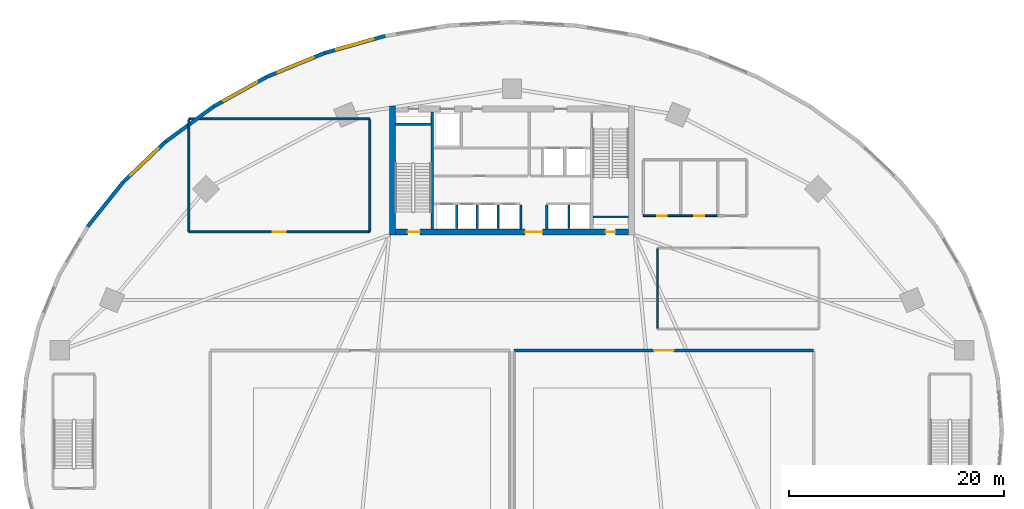
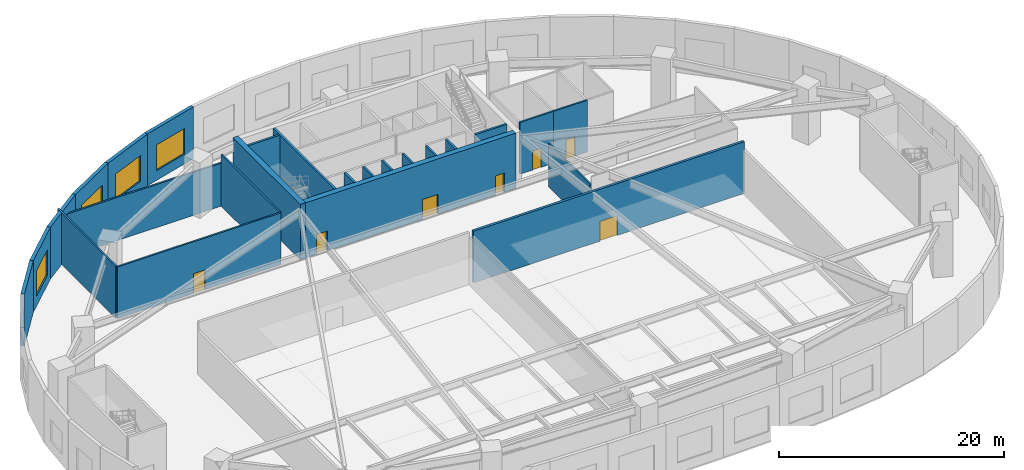
# One storey, part 3 of 10: 25 walls, 7 doors, 4 windows, 11 openings.
"""IFC4 building model written with IfcOpenShell, lengths in metres."""

from ifc_helpers import new_model, si_unit, direction, frame, frame_2d, origin, place, context, subcontext, project, spatial, rectangle, extrude, source, transform, mapped, material, layer, layer_set, type_object, type_shapes, element, fill, save


model = new_model("IFC4")

# Units and contexts
model_context = context("Model", 3, precision=1e-05, world=origin(), true_north=direction((0.0, 1.0)))
body_context = subcontext(model_context, "Body", "Model", "MODEL_VIEW")
ifc_project = project(units=[si_unit("LENGTHUNIT", "METRE"), si_unit("AREAUNIT", "SQUARE_METRE"), si_unit("VOLUMEUNIT", "CUBIC_METRE"), si_unit("PLANEANGLEUNIT", "RADIAN"), si_unit("MASSUNIT", "GRAM", prefix="KILO")], contexts=[model_context])

# Site, building, storey
site_placement = place(None, origin())
site = spatial("IfcSite", under=ifc_project, at=site_placement, CompositionType="ELEMENT")
building_placement = place(site_placement, origin())
building = spatial("IfcBuilding", under=site, at=building_placement, Name="Breltana Convention Tower", CompositionType="ELEMENT")
storey_placement = place(building_placement, frame((0.0, 0.0, 18.0)))
storey = spatial("IfcBuildingStorey", under=building, at=storey_placement, Name="L03", CompositionType="ELEMENT", Elevation=18.0)

# Wall
ifc_material_1 = material(Name="Concrete C60/75", Category="concrete")
ifc_layer_1 = layer(ifc_material_1, 0.550048828125, Name="Concrete C60/75")
ifc_layer_set_1 = layer_set([ifc_layer_1], Name="Concrete C60/75")
wall_type_1 = type_object("IfcWallType", Name="SW-CORE-550", PredefinedType="SHEAR", material=ifc_layer_set_1)
shared_shape_1 = source(origin(), body_context, "Body", "SweptSolid", [
    extrude(rectangle(XDim=12.0, YDim=0.550048828125, at=frame_2d((6.0, 0.0))), origin(), (0.0, 0.0, 1.0), 6.0),
])
wall_1_placement = place(storey_placement, frame((36.925048828125, 60.199951171875, 0.0), z_axis=(0.0, 0.0, 1.0), x_axis=(0.0, 1.0, 0.0)))
element("IfcWall", 1, at=wall_1_placement, inside=storey, type_object=wall_type_1, Name="L03 West Core Shear Wall", PredefinedType="SHEAR", context=body_context, shape_type="MappedRepresentation", body=[
    mapped(shared_shape_1, transform((0.0, 0.0, 0.0), scale=1.0)),
])

# Wall, openings, doors
shared_shape_2 = source(origin(), body_context, "Body", "SweptSolid", [
    extrude(rectangle(XDim=21.60009765625, YDim=0.550048828125, at=frame_2d((10.800048828125, 0.0))), origin(), (0.0, 0.0, 1.0), 6.0),
])
wall_2_placement = place(storey_placement, frame((37.199951171875, 60.47509765625, 0.0), z_axis=(0.0, 0.0, 1.0), x_axis=(1.0, 0.0, 0.0)))
wall_2 = element("IfcWall", 2, at=wall_2_placement, inside=storey, type_object=wall_type_1, Name="L03 South Core Shear Wall", PredefinedType="SHEAR", context=body_context, shape_type="MappedRepresentation", body=[
    mapped(shared_shape_2, transform((0.0, 0.0, 0.0), scale=1.0)),
])
opening_1_placement = place(wall_2_placement, frame((1.10009765625, 0.0, 0.0)))
opening_1 = element("IfcOpeningElement", 3, at=opening_1_placement, cuts=wall_2, Name="Opening D-11", PredefinedType="OPENING", context=body_context, shape_type="SweptSolid", body=[
    extrude(rectangle(XDim=1.14990234375, YDim=2.14990234375, at=frame_2d((0.574951171875, 1.074951171875))), frame((0.0, 0.28515625, 0.0), z_axis=(0.0, -1.0, 0.0), x_axis=(1.0, 0.0, 0.0)), (0.0, 0.0, 1.0), 0.570068359375),
])
opening_2_placement = place(wall_2_placement, frame((19.5, 0.0, 0.0)))
opening_2 = element("IfcOpeningElement", 4, at=opening_2_placement, cuts=wall_2, Name="Opening D-18", PredefinedType="OPENING", context=body_context, shape_type="SweptSolid", body=[
    extrude(rectangle(XDim=0.89990234375, YDim=2.10009765625, at=frame_2d((0.449951171875, 1.050048828125))), frame((0.0, 0.28515625, 0.0), z_axis=(0.0, -1.0, 0.0), x_axis=(1.0, 0.0, 0.0)), (0.0, 0.0, 1.0), 0.570068359375),
])
opening_3_placement = place(wall_2_placement, frame((12.02001953125, 0.0, 0.0)))
opening_3 = element("IfcOpeningElement", 5, at=opening_3_placement, cuts=wall_2, Name="Opening D-02", PredefinedType="OPENING", context=body_context, shape_type="SweptSolid", body=[
    extrude(rectangle(XDim=1.60009765625, YDim=2.14990234375, at=frame_2d((0.800048828125, 1.074951171875))), frame((0.0, 0.28515625, 0.0), z_axis=(0.0, -1.0, 0.0), x_axis=(1.0, 0.0, 0.0)), (0.0, 0.0, 1.0), 0.570068359375),
])
ifc_material_2 = material(Name="Steel Stair Exit Door", Category="steel")
door_type_1 = type_object("IfcDoorType", Name="DR-FD120-1150", OperationType="NOTDEFINED", PredefinedType="DOOR", material=ifc_material_2)
shared_shape_3 = source(origin(), body_context, "Body", "SweptSolid", [
    extrude(rectangle(XDim=1.14990234375, YDim=2.14990234375, at=frame_2d((0.574951171875, 1.074951171875))), frame((0.0, 0.02490234375, 0.0), z_axis=(0.0, -1.0, 0.0), x_axis=(1.0, 0.0, 0.0)), (0.0, 0.0, 1.0), 0.050048828125),
])
type_shapes(door_type_1, [shared_shape_3])
door_1_placement = place(opening_1_placement, origin())
door_1 = element("IfcDoor", 6, at=door_1_placement, inside=storey, type_object=door_type_1, Name="L03 interior door D-L03-ST1", OperationType="SINGLE_SWING_LEFT", OverallHeight=2.14990234375, OverallWidth=1.14990234375, PredefinedType="DOOR", context=body_context, shape_type="MappedRepresentation", body=[
    mapped(shared_shape_3, transform((0.0, 0.0, 0.0), scale=1.0)),
])
fill(opening_1, door_1)
ifc_material_3 = material(Name="Steel Riser Fire Door", Category="steel")
door_type_2 = type_object("IfcDoorType", Name="DR-FD60-900", OperationType="NOTDEFINED", PredefinedType="DOOR", material=ifc_material_3)
shared_shape_4 = source(origin(), body_context, "Body", "SweptSolid", [
    extrude(rectangle(XDim=0.89990234375, YDim=2.10009765625, at=frame_2d((0.449951171875, 1.050048828125))), frame((0.0, 0.02490234375, 0.0), z_axis=(0.0, -1.0, 0.0), x_axis=(1.0, 0.0, 0.0)), (0.0, 0.0, 1.0), 0.050048828125),
])
type_shapes(door_type_2, [shared_shape_4])
door_2_placement = place(opening_2_placement, origin())
door_2 = element("IfcDoor", 7, at=door_2_placement, inside=storey, type_object=door_type_2, Name="L03 Core Riser Access Door D-L03-RS2", OperationType="SINGLE_SWING_RIGHT", OverallHeight=2.10009765625, OverallWidth=0.89990234375, PredefinedType="DOOR", context=body_context, shape_type="MappedRepresentation", body=[
    mapped(shared_shape_4, transform((0.0, 0.0, 0.0), scale=1.0)),
])
fill(opening_2, door_2)
ifc_material_4 = material(Name="Steel Glazed Smoke-Control Door", Category="steel")
door_type_3 = type_object("IfcDoorType", Name="DR-DBL-FD90-1600", OperationType="DOUBLE_DOOR_SINGLE_SWING", PredefinedType="DOOR", material=ifc_material_4)
shared_shape_5 = source(origin(), body_context, "Body", "SweptSolid", [
    extrude(rectangle(XDim=1.60009765625, YDim=2.14990234375, at=frame_2d((0.800048828125, 1.074951171875))), frame((0.0, 0.02490234375, 0.0), z_axis=(0.0, -1.0, 0.0), x_axis=(1.0, 0.0, 0.0)), (0.0, 0.0, 1.0), 0.050048828125),
])
type_shapes(door_type_3, [shared_shape_5])
door_3_placement = place(opening_3_placement, origin())
door_3 = element("IfcDoor", 8, at=door_3_placement, inside=storey, type_object=door_type_3, Name="L03 interior door D-L03-LLB-S", OperationType="DOUBLE_DOOR_SINGLE_SWING", OverallHeight=2.14990234375, OverallWidth=1.60009765625, PredefinedType="DOOR", context=body_context, shape_type="MappedRepresentation", body=[
    mapped(shared_shape_5, transform((0.0, 0.0, 0.0), scale=1.0)),
])
fill(opening_3, door_3)

# Walls
ifc_material_5 = material(Name="Concrete C50/60", Category="concrete")
ifc_layer_2 = layer(ifc_material_5, 0.39990234375, Name="Concrete C50/60")
ifc_layer_set_2 = layer_set([ifc_layer_2], Name="Concrete C50/60")
wall_type_2 = type_object("IfcWallType", Name="SW-CORE-400", PredefinedType="SHEAR", material=ifc_layer_set_2)
shared_shape_6 = source(origin(), body_context, "Body", "SweptSolid", [
    extrude(rectangle(XDim=3.27001953125, YDim=0.219970703125, at=frame_2d((1.635009765625, 0.0))), origin(), (0.0, 0.0, 1.0), 6.0),
])
for number, where, z_axis, x_axis, name in (
    (9, (37.199951171875, 70.510009765625, 0.0), (0.0, 0.0, 1.0), (1.0, 0.0, 0.0), "L03 ST-1 Stairwell North Bearing Wall"),
    (10, (55.530029296875, 61.889892578125, 0.0), (0.0, 0.0, 1.0), (1.0, 0.0, 0.0), "L03 ST-2 Stairwell South Bearing Wall"),
):
    element("IfcWall", number, at=place(storey_placement, frame(where, z_axis=z_axis, x_axis=x_axis)), inside=storey, type_object=wall_type_2, Name=name, PredefinedType="SHEAR", context=body_context, shape_type="MappedRepresentation", body=[
        mapped(shared_shape_6, transform((0.0, 0.0, 0.0), scale=1.0)),
    ])
shared_shape_7 = source(origin(), body_context, "Body", "SweptSolid", [
    extrude(rectangle(XDim=10.89990234375, YDim=0.219970703125, at=frame_2d((5.449951171875, 0.0))), origin(), (0.0, 0.0, 1.0), 6.0),
])
wall_3_placement = place(storey_placement, frame((40.580078125, 60.75, 0.0), z_axis=(0.0, 0.0, 1.0), x_axis=(0.0, 1.0, 0.0)))
element("IfcWall", 11, at=wall_3_placement, inside=storey, type_object=wall_type_2, Name="L03 Core West Stair Spine Wall", PredefinedType="SHEAR", context=body_context, shape_type="MappedRepresentation", body=[
    mapped(shared_shape_7, transform((0.0, 0.0, 0.0), scale=1.0)),
])
ifc_material_6 = material(Name="Limestone Buff Insulated Wall", Category="masonry")
ifc_layer_3 = layer(ifc_material_6, 0.35009765625, Name="Limestone Buff Insulated Wall")
ifc_layer_set_3 = layer_set([ifc_layer_3], Name="Limestone Buff Insulated Wall")
wall_type_3 = type_object("IfcWallType", Name="WL-EXT-POD-350", PredefinedType="SOLIDWALL", material=ifc_layer_set_3)
shared_shape_8 = source(origin(), body_context, "Body", "SweptSolid", [
    extrude(rectangle(XDim=5.292724609375, YDim=0.35009765625, at=frame_2d((2.646484375, 0.0))), origin(), (0.0, 0.0, 1.0), 5.6201171875),
])
wall_4_placement = place(storey_placement, frame((11.90234375, 65.1328125, 0.0), z_axis=(0.0, 0.0, 1.0), x_axis=(-0.624740048177, -0.780832806818, 0.0)))
element("IfcWall", 12, at=wall_4_placement, inside=storey, type_object=wall_type_3, Name="L03 limestone facade wall 20", PredefinedType="SOLIDWALL", context=body_context, shape_type="MappedRepresentation", body=[
    mapped(shared_shape_8, transform((0.0, 0.0, 0.0), scale=1.0)),
])

# Wall, opening, window
shared_shape_9 = source(origin(), body_context, "Body", "SweptSolid", [
    extrude(rectangle(XDim=5.419189453125, YDim=0.35009765625, at=frame_2d((2.70947265625, 0.0))), origin(), (0.0, 0.0, 1.0), 5.6201171875),
])
wall_5_placement = place(storey_placement, frame((15.82666015625, 68.8701171875, 0.0), z_axis=(0.0, 0.0, 1.0), x_axis=(-0.724150787336, -0.689641673046, 0.0)))
wall_5 = element("IfcWall", 13, at=wall_5_placement, inside=storey, type_object=wall_type_3, Name="L03 limestone facade wall 19", PredefinedType="SOLIDWALL", context=body_context, shape_type="MappedRepresentation", body=[
    mapped(shared_shape_9, transform((0.0, 0.0, 0.0), scale=1.0)),
])
opening_4_placement = place(wall_5_placement, frame((0.909423828125, 0.0, 1.050048828125)))
opening_4 = element("IfcOpeningElement", 14, at=opening_4_placement, cuts=wall_5, Name="Opening W-01", PredefinedType="OPENING", context=body_context, shape_type="SweptSolid", body=[
    extrude(rectangle(XDim=3.60009765625, YDim=2.800048828125, at=frame_2d((1.800048828125, 1.39990234375))), frame((0.0, 0.18505859375, 0.0), z_axis=(0.0, -1.0, 0.0), x_axis=(1.0, 0.0, 0.0)), (0.0, 0.0, 1.0), 0.3701171875),
])
ifc_material_7 = material(Name="Glass Low-E Insulated Window", Category="glass")
window_type = type_object("IfcWindowType", Name="WN-POD-3600X2800", PartitioningType="TRIPLE_PANEL_VERTICAL", PredefinedType="WINDOW", material=ifc_material_7)
shared_shape_10 = source(origin(), body_context, "Body", "SweptSolid", [
    extrude(rectangle(XDim=3.60009765625, YDim=2.800048828125, at=frame_2d((1.800048828125, 1.39990234375))), frame((0.0, 0.030029296875, 0.0), z_axis=(0.0, -1.0, 0.0), x_axis=(1.0, 0.0, 0.0)), (0.0, 0.0, 1.0), 0.06005859375),
])
type_shapes(window_type, [shared_shape_10])
window_1_placement = place(opening_4_placement, origin())
window_1 = element("IfcWindow", 15, at=window_1_placement, inside=storey, type_object=window_type, Name="L03 tripartite window 19.1", OverallHeight=2.800048828125, OverallWidth=3.60009765625, PartitioningType="TRIPLE_PANEL_VERTICAL", PredefinedType="WINDOW", context=body_context, shape_type="MappedRepresentation", body=[
    mapped(shared_shape_10, transform((0.0, 0.0, 0.0), scale=1.0)),
])
fill(opening_4, window_1)

# Wall
shared_shape_11 = source(origin(), body_context, "Body", "SweptSolid", [
    extrude(rectangle(XDim=5.546630859375, YDim=0.35009765625, at=frame_2d((2.7734375, 0.0))), origin(), (0.0, 0.0, 1.0), 5.6201171875),
])
wall_6_placement = place(storey_placement, frame((20.301513671875, 72.1474609375, 0.0), z_axis=(0.0, 0.0, 1.0), x_axis=(-0.806767275837, -0.590869327887, 0.0)))
element("IfcWall", 16, at=wall_6_placement, inside=storey, type_object=wall_type_3, Name="L03 limestone facade wall 18", PredefinedType="SOLIDWALL", context=body_context, shape_type="MappedRepresentation", body=[
    mapped(shared_shape_11, transform((0.0, 0.0, 0.0), scale=1.0)),
])

# Wall, opening, window
shared_shape_12 = source(origin(), body_context, "Body", "SweptSolid", [
    extrude(rectangle(XDim=5.666748046875, YDim=0.35009765625, at=frame_2d((2.83349609375, 0.0))), origin(), (0.0, 0.0, 1.0), 5.6201171875),
])
wall_7_placement = place(storey_placement, frame((25.25, 74.908935546875, 0.0), z_axis=(0.0, 0.0, 1.0), x_axis=(-0.873233089296, -0.487302751642, 0.0)))
wall_7 = element("IfcWall", 17, at=wall_7_placement, inside=storey, type_object=wall_type_3, Name="L03 limestone facade wall 17", PredefinedType="SOLIDWALL", context=body_context, shape_type="MappedRepresentation", body=[
    mapped(shared_shape_12, transform((0.0, 0.0, 0.0), scale=1.0)),
])
opening_5_placement = place(wall_7_placement, frame((1.033447265625, 0.0, 1.050048828125)))
opening_5 = element("IfcOpeningElement", 18, at=opening_5_placement, cuts=wall_7, Name="Opening W-01", PredefinedType="OPENING", context=body_context, shape_type="SweptSolid", body=[
    extrude(rectangle(XDim=3.60009765625, YDim=2.800048828125, at=frame_2d((1.800048828125, 1.39990234375))), frame((0.0, 0.18505859375, 0.0), z_axis=(0.0, -1.0, 0.0), x_axis=(1.0, 0.0, 0.0)), (0.0, 0.0, 1.0), 0.3701171875),
])
window_2_placement = place(opening_5_placement, origin())
window_2 = element("IfcWindow", 19, at=window_2_placement, inside=storey, type_object=window_type, Name="L03 tripartite window 17.1", OverallHeight=2.800048828125, OverallWidth=3.60009765625, PartitioningType="TRIPLE_PANEL_VERTICAL", PredefinedType="WINDOW", context=body_context, shape_type="MappedRepresentation", body=[
    mapped(shared_shape_10, transform((0.0, 0.0, 0.0), scale=1.0)),
])
fill(opening_5, window_2)

shared_shape_13 = source(origin(), body_context, "Body", "SweptSolid", [
    extrude(rectangle(XDim=5.77294921875, YDim=0.35009765625, at=frame_2d((2.886474609375, 0.0))), origin(), (0.0, 0.0, 1.0), 5.6201171875),
])
wall_8_placement = place(storey_placement, frame((30.587890625, 77.107421875, 0.0), z_axis=(0.0, 0.0, 1.0), x_axis=(-0.924645688874, -0.380828504771, 0.0)))
wall_8 = element("IfcWall", 20, at=wall_8_placement, inside=storey, type_object=wall_type_3, Name="L03 limestone facade wall 16", PredefinedType="SOLIDWALL", context=body_context, shape_type="MappedRepresentation", body=[
    mapped(shared_shape_13, transform((0.0, 0.0, 0.0), scale=1.0)),
])
opening_6_placement = place(wall_8_placement, frame((1.08642578125, 0.0, 1.050048828125)))
opening_6 = element("IfcOpeningElement", 21, at=opening_6_placement, cuts=wall_8, Name="Opening W-01", PredefinedType="OPENING", context=body_context, shape_type="SweptSolid", body=[
    extrude(rectangle(XDim=3.60009765625, YDim=2.800048828125, at=frame_2d((1.800048828125, 1.39990234375))), frame((0.0, 0.18505859375, 0.0), z_axis=(0.0, -1.0, 0.0), x_axis=(1.0, 0.0, 0.0)), (0.0, 0.0, 1.0), 0.3701171875),
])
window_3_placement = place(opening_6_placement, origin())
window_3 = element("IfcWindow", 22, at=window_3_placement, inside=storey, type_object=window_type, Name="L03 tripartite window 16.1", OverallHeight=2.800048828125, OverallWidth=3.60009765625, PartitioningType="TRIPLE_PANEL_VERTICAL", PredefinedType="WINDOW", context=body_context, shape_type="MappedRepresentation", body=[
    mapped(shared_shape_10, transform((0.0, 0.0, 0.0), scale=1.0)),
])
fill(opening_6, window_3)

shared_shape_14 = source(origin(), body_context, "Body", "SweptSolid", [
    extrude(rectangle(XDim=5.85791015625, YDim=0.35009765625, at=frame_2d((2.928955078125, 0.0))), origin(), (0.0, 0.0, 1.0), 5.6201171875),
])
wall_9_placement = place(storey_placement, frame((36.2236328125, 78.705078125, 0.0), z_axis=(0.0, 0.0, 1.0), x_axis=(-0.962088093248, -0.272738887637, 0.0)))
wall_9 = element("IfcWall", 23, at=wall_9_placement, inside=storey, type_object=wall_type_3, Name="L03 limestone facade wall 15", PredefinedType="SOLIDWALL", context=body_context, shape_type="MappedRepresentation", body=[
    mapped(shared_shape_14, transform((0.0, 0.0, 0.0), scale=1.0)),
])
opening_7_placement = place(wall_9_placement, frame((1.12890625, 0.0, 1.050048828125)))
opening_7 = element("IfcOpeningElement", 24, at=opening_7_placement, cuts=wall_9, Name="Opening W-01", PredefinedType="OPENING", context=body_context, shape_type="SweptSolid", body=[
    extrude(rectangle(XDim=3.60009765625, YDim=2.800048828125, at=frame_2d((1.800048828125, 1.39990234375))), frame((0.0, 0.18505859375, 0.0), z_axis=(0.0, -1.0, 0.0), x_axis=(1.0, 0.0, 0.0)), (0.0, 0.0, 1.0), 0.3701171875),
])
window_4_placement = place(opening_7_placement, origin())
window_4 = element("IfcWindow", 25, at=window_4_placement, inside=storey, type_object=window_type, Name="L03 tripartite window 15.1", OverallHeight=2.800048828125, OverallWidth=3.60009765625, PartitioningType="TRIPLE_PANEL_VERTICAL", PredefinedType="WINDOW", context=body_context, shape_type="MappedRepresentation", body=[
    mapped(shared_shape_10, transform((0.0, 0.0, 0.0), scale=1.0)),
])
fill(opening_7, window_4)

# Walls
ifc_material_8 = material(Name="Autoclaved Aerated Concrete Block", Category="concrete")
ifc_layer_4 = layer(ifc_material_8, 0.199951171875, Name="Autoclaved Aerated Concrete Block")
ifc_layer_set_4 = layer_set([ifc_layer_4], Name="Autoclaved Aerated Concrete Block")
wall_type_4 = type_object("IfcWallType", Name="WL-SHAFT-200", PredefinedType="SOLIDWALL", material=ifc_layer_set_4)
shared_shape_15 = source(origin(), body_context, "Body", "SweptSolid", [
    extrude(rectangle(XDim=2.239990234375, YDim=0.199951171875, at=frame_2d((1.1201171875, 0.0))), origin(), (0.0, 0.0, 1.0), 5.6201171875),
])
for number, where, z_axis, x_axis, name in (
    (26, (48.820068359375, 60.780029296875, 0.0), (0.0, 0.0, 1.0), (0.0, 1.0, 0.0), "L03 interior partition W-L03-PORT-W"),
    (27, (51.219970703125, 60.780029296875, 0.0), (0.0, 0.0, 1.0), (0.0, 1.0, 0.0), "L03 interior partition W-L03-PORT-E"),
):
    element("IfcWall", number, at=place(storey_placement, frame(where, z_axis=z_axis, x_axis=x_axis)), inside=storey, type_object=wall_type_4, Name=name, PredefinedType="SOLIDWALL", context=body_context, shape_type="MappedRepresentation", body=[
        mapped(shared_shape_15, transform((0.0, 0.0, 0.0), scale=1.0)),
    ])
shared_shape_16 = source(origin(), body_context, "Body", "SweptSolid", [
    extrude(rectangle(XDim=2.199951171875, YDim=0.199951171875, at=frame_2d((1.10009765625, 0.0))), origin(), (0.0, 0.0, 1.0), 5.6201171875),
])
for number, where, z_axis, x_axis, name in (
    (28, (42.8701171875, 60.800048828125, 0.0), (0.0, 0.0, 1.0), (0.0, 1.0, 0.0), "L03 interior partition W-L03-SH-S-DIV1"),
    (29, (44.77001953125, 60.800048828125, 0.0), (0.0, 0.0, 1.0), (0.0, 1.0, 0.0), "L03 interior partition W-L03-SH-S-DIV2"),
    (30, (46.699951171875, 60.800048828125, 0.0), (0.0, 0.0, 1.0), (0.0, 1.0, 0.0), "L03 interior partition W-L03-SH-S-DIV3"),
    (31, (53.280029296875, 60.800048828125, 0.0), (0.0, 0.0, 1.0), (0.0, 1.0, 0.0), "L03 interior partition W-L03-SH-X-DIV"),
):
    element("IfcWall", number, at=place(storey_placement, frame(where, z_axis=z_axis, x_axis=x_axis)), inside=storey, type_object=wall_type_4, Name=name, PredefinedType="SOLIDWALL", context=body_context, shape_type="MappedRepresentation", body=[
        mapped(shared_shape_16, transform((0.0, 0.0, 0.0), scale=1.0)),
    ])

# Wall, opening, door
ifc_material_9 = material(Name="Cement Board Wet-Area Partition")
ifc_layer_5 = layer(ifc_material_9, 0.175048828125, Name="Cement Board Wet-Area Partition")
ifc_layer_set_5 = layer_set([ifc_layer_5], Name="Cement Board Wet-Area Partition")
wall_type_5 = type_object("IfcWallType", Name="WL-WET-175", PredefinedType="PARTITIONING", material=ifc_layer_set_5)
shared_shape_17 = source(origin(), body_context, "Body", "SweptSolid", [
    extrude(rectangle(XDim=3.4560546875, YDim=0.175048828125, at=frame_2d((1.72802734375, 0.0))), origin(), (0.0, 0.0, 1.0), 5.6201171875),
])
wall_10_placement = place(storey_placement, frame((60.199951171875, 62.0, 0.0), z_axis=(0.0, 0.0, 1.0), x_axis=(1.0, 0.0, 0.0)))
wall_10 = element("IfcWall", 32, at=wall_10_placement, inside=storey, type_object=wall_type_5, Name="L03 interior partition W-L03-WCM-S", PredefinedType="PARTITIONING", context=body_context, shape_type="MappedRepresentation", body=[
    mapped(shared_shape_17, transform((0.0, 0.0, 0.0), scale=1.0)),
])
opening_8_placement = place(wall_10_placement, frame((1.278076171875, 0.0, 0.0)))
opening_8 = element("IfcOpeningElement", 33, at=opening_8_placement, cuts=wall_10, Name="Opening D-19", PredefinedType="OPENING", context=body_context, shape_type="SweptSolid", body=[
    extrude(rectangle(XDim=0.89990234375, YDim=2.080078125, at=frame_2d((0.449951171875, 1.0400390625))), frame((0.0, 0.09765625, 0.0), z_axis=(0.0, -1.0, 0.0), x_axis=(1.0, 0.0, 0.0)), (0.0, 0.0, 1.0), 0.195068359375),
])
ifc_material_10 = material(Name="Timber Moisture-Resistant Door", Category="wood")
door_type_4 = type_object("IfcDoorType", Name="DR-WC-900", OperationType="NOTDEFINED", PredefinedType="DOOR", material=ifc_material_10)
shared_shape_18 = source(origin(), body_context, "Body", "SweptSolid", [
    extrude(rectangle(XDim=0.89990234375, YDim=2.080078125, at=frame_2d((0.449951171875, 1.0400390625))), frame((0.0, 0.02490234375, 0.0), z_axis=(0.0, -1.0, 0.0), x_axis=(1.0, 0.0, 0.0)), (0.0, 0.0, 1.0), 0.050048828125),
])
type_shapes(door_type_4, [shared_shape_18])
door_4_placement = place(opening_8_placement, origin())
door_4 = element("IfcDoor", 34, at=door_4_placement, inside=storey, type_object=door_type_4, Name="L03 interior door D-L03-WCM", OperationType="SINGLE_SWING_LEFT", OverallHeight=2.080078125, OverallWidth=0.89990234375, PredefinedType="DOOR", context=body_context, shape_type="MappedRepresentation", body=[
    mapped(shared_shape_18, transform((0.0, 0.0, 0.0), scale=1.0)),
])
fill(opening_8, door_4)

wall_11_placement = place(storey_placement, frame((63.656005859375, 62.0, 0.0), z_axis=(0.0, 0.0, 1.0), x_axis=(1.0, 0.0, 0.0)))
wall_11 = element("IfcWall", 35, at=wall_11_placement, inside=storey, type_object=wall_type_5, Name="L03 interior partition W-L03-WCF-S", PredefinedType="PARTITIONING", context=body_context, shape_type="MappedRepresentation", body=[
    mapped(shared_shape_17, transform((0.0, 0.0, 0.0), scale=1.0)),
])
opening_9_placement = place(wall_11_placement, frame((1.278076171875, 0.0, 0.0)))
opening_9 = element("IfcOpeningElement", 36, at=opening_9_placement, cuts=wall_11, Name="Opening D-19", PredefinedType="OPENING", context=body_context, shape_type="SweptSolid", body=[
    extrude(rectangle(XDim=0.89990234375, YDim=2.080078125, at=frame_2d((0.449951171875, 1.0400390625))), frame((0.0, 0.09765625, 0.0), z_axis=(0.0, -1.0, 0.0), x_axis=(1.0, 0.0, 0.0)), (0.0, 0.0, 1.0), 0.195068359375),
])
door_5_placement = place(opening_9_placement, origin())
door_5 = element("IfcDoor", 37, at=door_5_placement, inside=storey, type_object=door_type_4, Name="L03 interior door D-L03-WCF", OperationType="SINGLE_SWING_RIGHT", OverallHeight=2.080078125, OverallWidth=0.89990234375, PredefinedType="DOOR", context=body_context, shape_type="MappedRepresentation", body=[
    mapped(shared_shape_18, transform((0.0, 0.0, 0.0), scale=1.0)),
])
fill(opening_9, door_5)

ifc_material_11 = material(Name="Gypsum Acoustic Double Stud Wall")
ifc_layer_6 = layer(ifc_material_11, 0.25, Name="Gypsum Acoustic Double Stud Wall")
ifc_layer_set_6 = layer_set([ifc_layer_6], Name="Gypsum Acoustic Double Stud Wall")
wall_type_6 = type_object("IfcWallType", Name="WL-ACOUSTIC-250", PredefinedType="PARTITIONING", material=ifc_layer_set_6)
shared_shape_19 = source(origin(), body_context, "Body", "SweptSolid", [
    extrude(rectangle(XDim=27.800048828125, YDim=0.25, at=frame_2d((13.89990234375, 0.0))), origin(), (0.0, 0.0, 1.0), 5.6201171875),
])
wall_12_placement = place(storey_placement, frame((48.199951171875, 49.5, 0.0), z_axis=(0.0, 0.0, 1.0), x_axis=(1.0, 0.0, 0.0)))
wall_12 = element("IfcWall", 38, at=wall_12_placement, inside=storey, type_object=wall_type_6, Name="L03 interior partition W-L03-BLE-N", PredefinedType="PARTITIONING", context=body_context, shape_type="MappedRepresentation", body=[
    mapped(shared_shape_19, transform((0.0, 0.0, 0.0), scale=1.0)),
])
opening_10_placement = place(wall_12_placement, frame((13.0, 0.0, 0.0)))
opening_10 = element("IfcOpeningElement", 39, at=opening_10_placement, cuts=wall_12, Name="Opening D-01", PredefinedType="OPENING", context=body_context, shape_type="SweptSolid", body=[
    extrude(rectangle(XDim=1.800048828125, YDim=2.14990234375, at=frame_2d((0.89990234375, 1.074951171875))), frame((0.0, 0.135009765625, 0.0), z_axis=(0.0, -1.0, 0.0), x_axis=(1.0, 0.0, 0.0)), (0.0, 0.0, 1.0), 0.27001953125),
])
ifc_material_12 = material(Name="Timber Acoustic Veneer Door", Category="wood")
door_type_5 = type_object("IfcDoorType", Name="DR-ASM-1800", OperationType="DOUBLE_DOOR_SINGLE_SWING", PredefinedType="DOOR", material=ifc_material_12)
shared_shape_20 = source(origin(), body_context, "Body", "SweptSolid", [
    extrude(rectangle(XDim=1.800048828125, YDim=2.14990234375, at=frame_2d((0.89990234375, 1.074951171875))), frame((0.0, 0.02490234375, 0.0), z_axis=(0.0, -1.0, 0.0), x_axis=(1.0, 0.0, 0.0)), (0.0, 0.0, 1.0), 0.050048828125),
])
type_shapes(door_type_5, [shared_shape_20])
door_6_placement = place(opening_10_placement, origin())
door_6 = element("IfcDoor", 40, at=door_6_placement, inside=storey, type_object=door_type_5, Name="L03 interior door D-L03-BLE", OperationType="SINGLE_SWING_LEFT", OverallHeight=2.14990234375, OverallWidth=1.800048828125, PredefinedType="DOOR", context=body_context, shape_type="MappedRepresentation", body=[
    mapped(shared_shape_20, transform((0.0, 0.0, 0.0), scale=1.0)),
])
fill(opening_10, door_6)

shared_shape_21 = source(origin(), body_context, "Body", "SweptSolid", [
    extrude(rectangle(XDim=16.800048828125, YDim=0.175048828125, at=frame_2d((8.39990234375, 0.0))), origin(), (0.0, 0.0, 1.0), 5.6201171875),
])
wall_13_placement = place(storey_placement, frame((18.0, 60.5, 0.0), z_axis=(0.0, 0.0, 1.0), x_axis=(1.0, 0.0, 0.0)))
wall_13 = element("IfcWall", 41, at=wall_13_placement, inside=storey, type_object=wall_type_5, Name="L03 interior partition W-L03-BKIT-S", PredefinedType="PARTITIONING", context=body_context, shape_type="MappedRepresentation", body=[
    mapped(shared_shape_21, transform((0.0, 0.0, 0.0), scale=1.0)),
])
opening_11_placement = place(wall_13_placement, frame((7.800048828125, 0.0, 0.0)))
opening_11 = element("IfcOpeningElement", 42, at=opening_11_placement, cuts=wall_13, Name="Opening D-10", PredefinedType="OPENING", context=body_context, shape_type="SweptSolid", body=[
    extrude(rectangle(XDim=1.199951171875, YDim=2.14990234375, at=frame_2d((0.60009765625, 1.074951171875))), frame((0.0, 0.09765625, 0.0), z_axis=(0.0, -1.0, 0.0), x_axis=(1.0, 0.0, 0.0)), (0.0, 0.0, 1.0), 0.195068359375),
])
ifc_material_13 = material(Name="Timber Oak Veneer Fire Door", Category="wood")
door_type_6 = type_object("IfcDoorType", Name="DR-INT-1200", OperationType="NOTDEFINED", PredefinedType="DOOR", material=ifc_material_13)
shared_shape_22 = source(origin(), body_context, "Body", "SweptSolid", [
    extrude(rectangle(XDim=1.199951171875, YDim=2.14990234375, at=frame_2d((0.60009765625, 1.074951171875))), frame((0.0, 0.02490234375, 0.0), z_axis=(0.0, -1.0, 0.0), x_axis=(1.0, 0.0, 0.0)), (0.0, 0.0, 1.0), 0.050048828125),
])
type_shapes(door_type_6, [shared_shape_22])
door_7_placement = place(opening_11_placement, origin())
door_7 = element("IfcDoor", 43, at=door_7_placement, inside=storey, type_object=door_type_6, Name="L03 interior door D-L03-BKIT", OperationType="SINGLE_SWING_RIGHT", OverallHeight=2.14990234375, OverallWidth=1.199951171875, PredefinedType="DOOR", context=body_context, shape_type="MappedRepresentation", body=[
    mapped(shared_shape_22, transform((0.0, 0.0, 0.0), scale=1.0)),
])
fill(opening_11, door_7)

# Walls
ifc_material_14 = material(Name="Moisture-Resistant Gypsum Chase Wall")
ifc_layer_7 = layer(ifc_material_14, 0.179931640625, Name="Moisture-Resistant Gypsum Chase Wall")
ifc_layer_set_7 = layer_set([ifc_layer_7], Name="Moisture-Resistant Gypsum Chase Wall")
wall_type_7 = type_object("IfcWallType", Name="WL-PLUMB-180", PredefinedType="PLUMBINGWALL", material=ifc_layer_set_7)
shared_shape_23 = source(origin(), body_context, "Body", "SweptSolid", [
    extrude(rectangle(XDim=16.800048828125, YDim=0.179931640625, at=frame_2d((8.39990234375, 0.0))), origin(), (0.0, 0.0, 1.0), 4.680908203125),
])
wall_14_placement = place(storey_placement, frame((18.0, 71.0, 0.0), z_axis=(0.0, 0.0, 1.0), x_axis=(1.0, 0.0, 0.0)))
element("IfcWall", 44, at=wall_14_placement, inside=storey, type_object=wall_type_7, Name="L03 interior partition W-L03-BKIT-N", PredefinedType="PLUMBINGWALL", context=body_context, shape_type="MappedRepresentation", body=[
    mapped(shared_shape_23, transform((0.0, 0.0, 0.0), scale=1.0)),
])
shared_shape_24 = source(origin(), body_context, "Body", "SweptSolid", [
    extrude(rectangle(XDim=10.3427734375, YDim=0.175048828125, at=frame_2d((5.17138671875, 0.0))), origin(), (0.0, 0.0, 1.0), 5.6201171875),
])
for number, where, z_axis, x_axis, name in (
    (45, (18.0, 60.57861328125, 0.0), (0.0, 0.0, 1.0), (0.0, 1.0, 0.0), "L03 interior partition W-L03-BKIT-W"),
    (46, (34.800048828125, 60.57861328125, 0.0), (0.0, 0.0, 1.0), (0.0, 1.0, 0.0), "L03 interior partition W-L03-BKIT-E"),
):
    element("IfcWall", number, at=place(storey_placement, frame(where, z_axis=z_axis, x_axis=x_axis)), inside=storey, type_object=wall_type_5, Name=name, PredefinedType="PARTITIONING", context=body_context, shape_type="MappedRepresentation", body=[
        mapped(shared_shape_24, transform((0.0, 0.0, 0.0), scale=1.0)),
    ])
ifc_material_15 = material(Name="Gypsum Acoustic Drywall Partition")
ifc_layer_8 = layer(ifc_material_15, 0.14990234375, Name="Gypsum Acoustic Drywall Partition")
ifc_layer_set_8 = layer_set([ifc_layer_8], Name="Gypsum Acoustic Drywall Partition")
wall_type_8 = type_object("IfcWallType", Name="WL-PART-150", PredefinedType="PARTITIONING", material=ifc_layer_set_8)
shared_shape_25 = source(origin(), body_context, "Body", "SweptSolid", [
    extrude(rectangle(XDim=7.365234375, YDim=0.14990234375, at=frame_2d((3.6826171875, 0.0))), origin(), (0.0, 0.0, 1.0), 4.75390625),
])
wall_15_placement = place(storey_placement, frame((61.5, 51.5673828125, 0.0), z_axis=(0.0, 0.0, 1.0), x_axis=(0.0, 1.0, 0.0)))
element("IfcWall", 47, at=wall_15_placement, inside=storey, type_object=wall_type_8, Name="L03 interior partition W-L03-VIP-W", PredefinedType="PARTITIONING", context=body_context, shape_type="MappedRepresentation", body=[
    mapped(shared_shape_25, transform((0.0, 0.0, 0.0), scale=1.0)),
])

save(model, "model.ifc")
